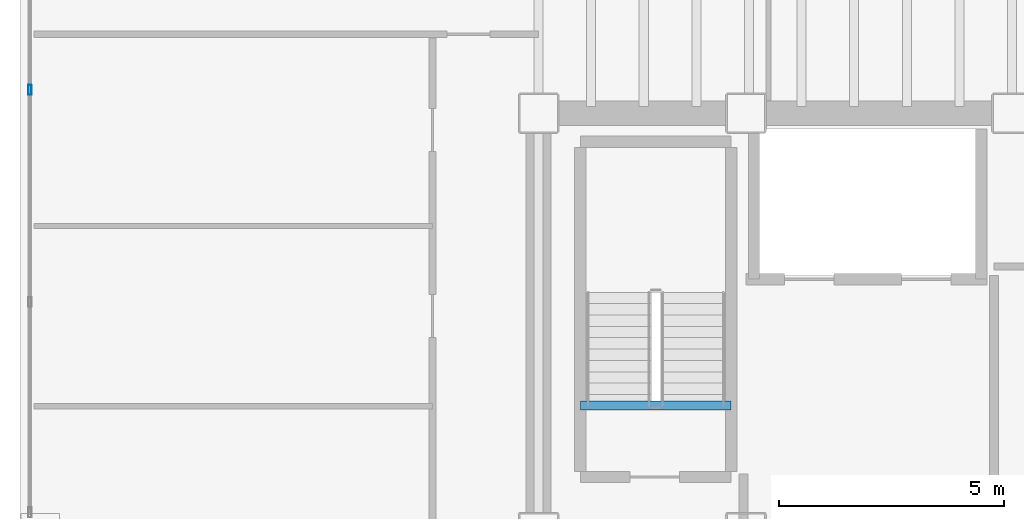
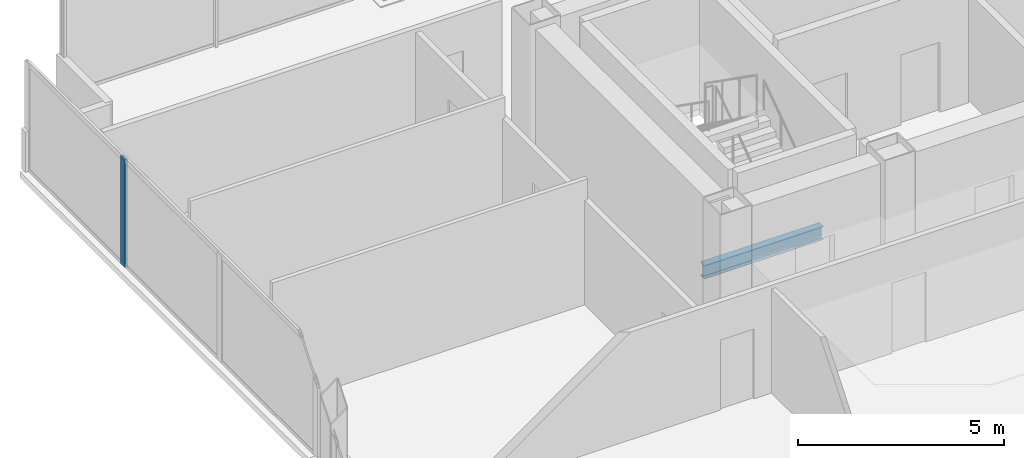
# One storey, part 7 of 19: 1 beam, 1 member, 1 element without a shape of its own.
"""IFC4 building model written with IfcOpenShell, lengths in metres."""

from ifc_helpers import new_model, si_unit, direction, frame, origin, origin_2d, place, context, subcontext, project, spatial, hollow_rectangle, i_section, extrude, material, material_profile, profile_set, type_object, element, aggregate, save


model = new_model("IFC4")

# Units and contexts
model_context = context("Model", 3, precision=1e-05, world=origin(), true_north=direction((0.0, 1.0)))
body_context = subcontext(model_context, "Body", "Model", "MODEL_VIEW")
ifc_project = project(units=[si_unit("LENGTHUNIT", "METRE"), si_unit("AREAUNIT", "SQUARE_METRE"), si_unit("VOLUMEUNIT", "CUBIC_METRE"), si_unit("PLANEANGLEUNIT", "RADIAN"), si_unit("MASSUNIT", "GRAM", prefix="KILO")], contexts=[model_context])

# Site, building, storey
site_placement = place(None, origin())
site = spatial("IfcSite", under=ifc_project, at=site_placement, CompositionType="ELEMENT")
building_placement = place(site_placement, origin())
building = spatial("IfcBuilding", under=site, at=building_placement, Name="Noeulbin Bourse Tower", CompositionType="ELEMENT")
storey_placement = place(building_placement, frame((0.0, 0.0, 146.10009765625)))
storey = spatial("IfcBuildingStorey", under=building, at=storey_placement, Name="L36", CompositionType="ELEMENT", Elevation=146.10009765625)

# Beam
ifc_material_1 = material(Name="Steel S355", Category="steel")
ifc_material_profile_1 = material_profile(ifc_material_1, i_section(OverallWidth=0.199951171875, OverallDepth=0.39990234375, WebThickness=0.008056640625, FlangeThickness=0.012939453125, FilletRadius=0.01611328125, at=origin_2d()), Name="H-400x200x8x13", Category="LoadBearing")
ifc_profile_set_1 = profile_set([ifc_material_profile_1], Name="Steel S355")
beam_type = type_object("IfcBeamType", Name="BM-SEC-400", PredefinedType="BEAM", material=ifc_profile_set_1)
beam_placement = place(storey_placement, frame((14.429931640625, 31.820068359375, -0.2001953125), z_axis=(1.0, 0.0, 0.0), x_axis=(0.0, 1.0, 0.0)))
element("IfcBeam", 1, at=beam_placement, inside=storey, type_object=beam_type, Name="Stair Threshold Trimmer Beam ST1-L36", PredefinedType="BEAM", context=body_context, shape_type="SweptSolid", body=[
    extrude(i_section(OverallWidth=0.199951171875, OverallDepth=0.39990234375, WebThickness=0.008056640625, FlangeThickness=0.012939453125, FilletRadius=0.01611328125, at=origin_2d()), origin(), (0.0, 0.0, 1.0), 3.340087890625),
])

# Curtain wall, member
ifc_material_2 = material(Name="Dark Tinted Triple Glazing", Category="glass")
curtain_wall_type = type_object("IfcCurtainWallType", Name="CW-SYS-3", PredefinedType="NOTDEFINED", material=ifc_material_2)
curtain_wall_placement = place(storey_placement, origin())
curtain_wall = element("IfcCurtainWall", 2, at=curtain_wall_placement, inside=storey, type_object=curtain_wall_type, Name="Unitised Curtain Wall CW-L36-W-S2", PredefinedType="NOTDEFINED")
ifc_material_3 = material(Name="Anodised Aluminium 6063-T6", Category="aluminium")
ifc_material_profile_2 = material_profile(ifc_material_3, hollow_rectangle(XDim=0.074951171875, YDim=0.219970703125, WallThickness=0.0048828125, InnerFilletRadius=0.00244140625, OuterFilletRadius=0.0048828125, at=origin_2d()), Name="ALU-MULL-75x220x5", Category="LoadBearing")
ifc_profile_set_2 = profile_set([ifc_material_profile_2], Name="Anodised Aluminium 6063-T6")
member_type = type_object("IfcMemberType", Name="CW-SYS-3-MUL", PredefinedType="MULLION", material=ifc_profile_set_2)
member_placement = place(storey_placement, frame((2.219970703125, 38.816650390625, -0.02001953125), z_axis=(0.0, 0.0, 1.0), x_axis=(1.0, 0.0, 0.0)))
member = element("IfcMember", 3, at=member_placement, type_object=member_type, Name="Curtain Wall Mullion CW-L36-W-S2-M02", PredefinedType="MULLION", context=body_context, shape_type="SweptSolid", body=[
    extrude(hollow_rectangle(XDim=0.074951171875, YDim=0.219970703125, WallThickness=0.0048828125, InnerFilletRadius=0.00244140625, OuterFilletRadius=0.0048828125, at=origin_2d()), origin(), (0.0, 0.0, 1.0), 3.219970703125),
])
aggregate(curtain_wall, [member])

save(model, "model.ifc")
